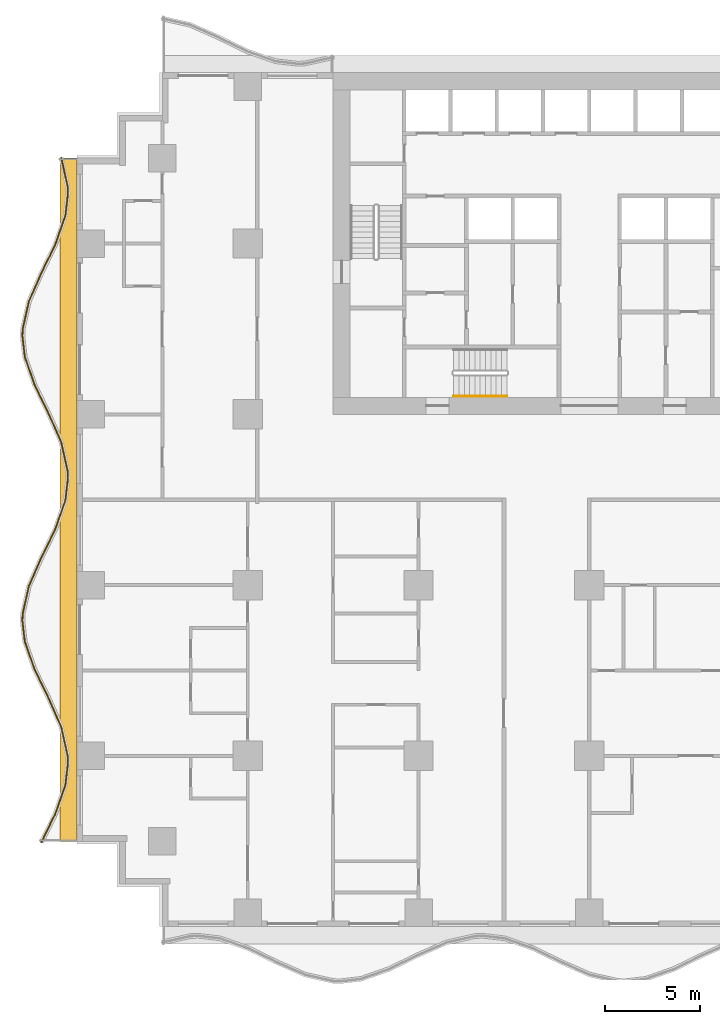
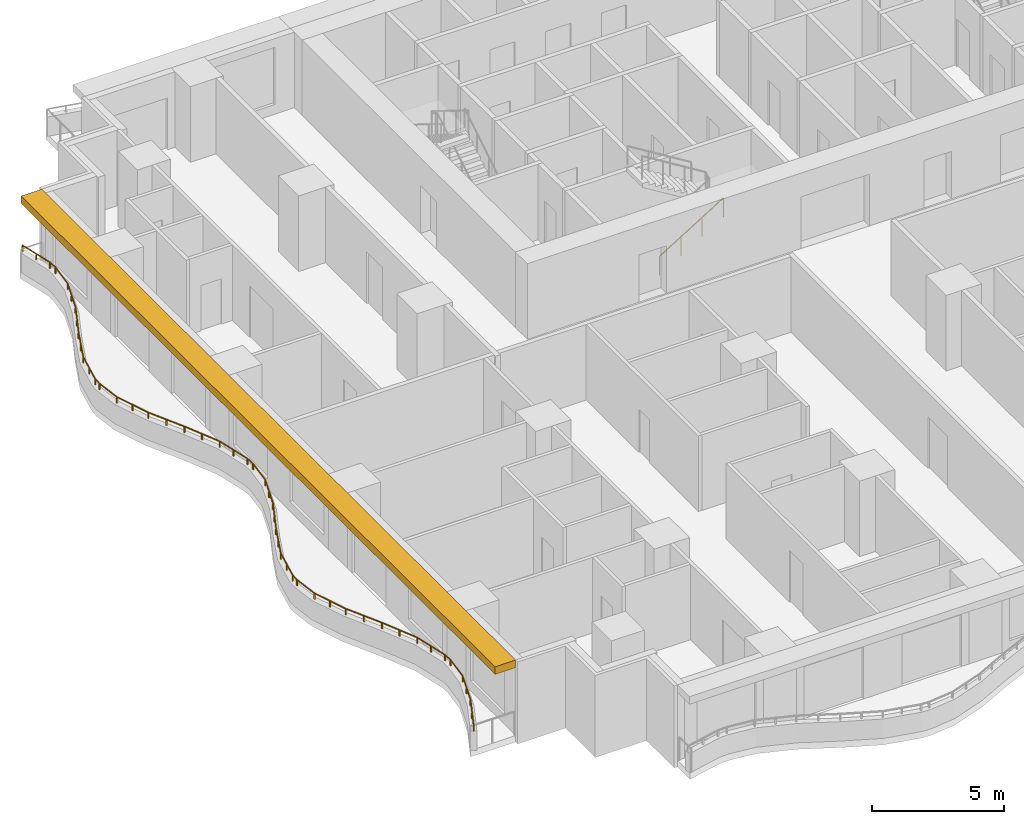
# One storey, part 9 of 14: 2 railings, 1 shading device.
"""IFC4 building model written with IfcOpenShell, lengths in metres."""

from ifc_helpers import new_model, si_unit, direction, frame, origin, origin_2d, place, context, subcontext, project, spatial, polyline, rectangle, circle, outline, extrude, material, layer, layer_set, type_object, element, save


model = new_model("IFC4")

# Units and contexts
model_context = context("Model", 3, precision=1e-05, world=origin(), true_north=direction((0.0, 1.0)))
body_context = subcontext(model_context, "Body", "Model", "MODEL_VIEW")
ifc_project = project(units=[si_unit("LENGTHUNIT", "METRE"), si_unit("AREAUNIT", "SQUARE_METRE"), si_unit("VOLUMEUNIT", "CUBIC_METRE"), si_unit("PLANEANGLEUNIT", "RADIAN"), si_unit("MASSUNIT", "GRAM", prefix="KILO")], contexts=[model_context])

# Site, building, storey
site_placement = place(None, origin())
site = spatial("IfcSite", under=ifc_project, at=site_placement, CompositionType="ELEMENT")
building_placement = place(site_placement, origin())
building = spatial("IfcBuilding", under=site, at=building_placement, Name="Orbiselva Terraces", CompositionType="ELEMENT")
storey_placement = place(building_placement, frame((0.0, 0.0, 34.0)))
storey = spatial("IfcBuildingStorey", under=building, at=storey_placement, Name="L08", CompositionType="ELEMENT", Elevation=34.0)

# Railings
ifc_material_1 = material(Name="Stainless steel", Category="steel")
railing_type_1 = type_object("IfcRailingType", Name="CORE-HANDRAIL-900", PredefinedType="HANDRAIL", material=ifc_material_1)
railing_1_placement = place(storey_placement, frame((-7.15, 5.45, 0.172727)))
element("IfcRailing", 1, at=railing_1_placement, inside=storey, type_object=railing_type_1, Name="L08 S3 stair handrail 1", PredefinedType="HANDRAIL", context=body_context, shape_type="SweptSolid", body=[
    extrude(circle(Radius=0.024, at=origin_2d()), frame((0.0, 0.0, 0.876), z_axis=(0.851088519012, 0.0, 0.52502222125), x_axis=(0.0, 1.0, 0.0)), (0.0, 0.0, 1.0), 3.289905),
    extrude(circle(Radius=0.021, at=origin_2d()), origin(), (0.0, 0.0, 1.0), 0.852),
    extrude(circle(Radius=0.021, at=origin_2d()), frame((0.933333, 0.0, 0.575758)), (0.0, 0.0, 1.0), 0.852),
    extrude(circle(Radius=0.021, at=origin_2d()), frame((1.866667, 0.0, 1.151515)), (0.0, 0.0, 1.0), 0.852),
    extrude(circle(Radius=0.021, at=origin_2d()), frame((2.8, 0.0, 1.727273)), (0.0, 0.0, 1.0), 0.852),
])
ifc_material_2 = material(Name="Bonded two-ply safety glass balustrade, stainless steel posts", Category="steel")
railing_type_2 = type_object("IfcRailingType", Name="ENV-BALUSTRADE-1200", PredefinedType="BALUSTRADE", material=ifc_material_2)
railing_2_placement = place(storey_placement, frame((-27.829507, 18.027377, 0.9)))
element("IfcRailing", 2, at=railing_2_placement, inside=storey, type_object=railing_type_2, Name="Balcony balustrade L08 W", PredefinedType="BALUSTRADE", context=body_context, shape_type="SweptSolid", body=[
    extrude(outline(polyline([(0.028868, 0.0), (0.014434, 0.025), (-0.014434, 0.025), (-0.028868, 0.0), (-0.014434, -0.025), (0.014434, -0.025), (0.028868, 0.0)])), frame((0.0, 0.0, 0.275), z_axis=(0.219015484484, -0.97572138316, 0.0), x_axis=(0.97572138316, 0.219015484484, 0.0)), (0.0, 0.0, 1.0), 1.548694),
    extrude(outline(polyline([(0.028868, 0.0), (0.014434, 0.025), (-0.014434, 0.025), (-0.028868, 0.0), (-0.014434, -0.025), (0.014434, -0.025), (0.028868, 0.0)])), frame((0.339188, -1.511094, 0.275), z_axis=(0.03936915532, -0.999224734286, 0.0), x_axis=(0.999224734286, 0.03936915532, 0.0)), (0.0, 0.0, 1.0), 0.396376),
    extrude(outline(polyline([(0.028868, 0.0), (0.014434, 0.025), (-0.014434, 0.025), (-0.028868, 0.0), (-0.014434, -0.025), (0.014434, -0.025), (0.028868, 0.0)])), frame((0.354793, -1.907163, 0.275), z_axis=(-0.115482182324, -0.993309551734, 0.0), x_axis=(0.993309551734, -0.115482182324, 0.0)), (0.0, 0.0, 1.0), 1.156135),
    extrude(outline(polyline([(0.028868, 0.0), (0.014434, 0.025), (-0.014434, 0.025), (-0.028868, 0.0), (-0.014434, -0.025), (0.014434, -0.025), (0.028868, 0.0)])), frame((0.22128, -3.055563, 0.275), z_axis=(-0.330024597479, -0.943972332783, 0.0), x_axis=(0.943972332783, -0.330024597479, 0.0)), (0.0, 0.0, 1.0), 1.610253),
    extrude(outline(polyline([(0.028868, 0.0), (0.014434, 0.025), (-0.014434, 0.025), (-0.028868, 0.0), (-0.014434, -0.025), (0.014434, -0.025), (0.028868, 0.0)])), frame((-0.310143, -4.575597, 0.275), z_axis=(-0.438812048596, -0.898578870221, 0.0), x_axis=(0.898578870221, -0.438812048596, 0.0)), (0.0, 0.0, 1.0), 1.674225),
    extrude(outline(polyline([(0.028868, 0.0), (0.014434, 0.025), (-0.014434, 0.025), (-0.028868, 0.0), (-0.014434, -0.025), (0.014434, -0.025), (0.028868, 0.0)])), frame((-1.044813, -6.08002, 0.275), z_axis=(-0.403151245402, -0.915133363686, 0.0), x_axis=(0.915133363686, -0.403151245402, 0.0)), (0.0, 0.0, 1.0), 1.624475),
    extrude(outline(polyline([(0.028868, 0.0), (0.014434, 0.025), (-0.014434, 0.025), (-0.028868, 0.0), (-0.014434, -0.025), (0.014434, -0.025), (0.028868, 0.0)])), frame((-1.699722, -7.566631, 0.275), z_axis=(-0.219015740235, -0.975721325753, 0.0), x_axis=(0.975721325753, -0.219015740235, 0.0)), (0.0, 0.0, 1.0), 1.513782),
    extrude(outline(polyline([(0.028868, 0.0), (0.014434, 0.025), (-0.014434, 0.025), (-0.028868, 0.0), (-0.014434, -0.025), (0.014434, -0.025), (0.028868, 0.0)])), frame((-2.031264, -9.04366, 0.275), z_axis=(-0.039364150694, -0.999224931454, 0.0), x_axis=(0.999224931454, -0.039364150694, 0.0)), (0.0, 0.0, 1.0), 0.354206),
    extrude(outline(polyline([(0.028868, 0.0), (0.014434, 0.025), (-0.014434, 0.025), (-0.028868, 0.0), (-0.014434, -0.025), (0.014434, -0.025), (0.028868, 0.0)])), frame((-2.045207, -9.397591, 0.275), z_axis=(0.115481264762, -0.993309658409, 0.0), x_axis=(0.993309658409, 0.115481264762, 0.0)), (0.0, 0.0, 1.0), 1.10902),
    extrude(outline(polyline([(0.028868, 0.0), (0.014434, 0.025), (-0.014434, 0.025), (-0.028868, 0.0), (-0.014434, -0.025), (0.014434, -0.025), (0.028868, 0.0)])), frame((-1.917136, -10.499191, 0.275), z_axis=(0.330024754707, -0.943972277814, 0.0), x_axis=(0.943972277814, 0.330024754707, 0.0)), (0.0, 0.0, 1.0), 1.567807),
    extrude(outline(polyline([(0.028868, 0.0), (0.014434, 0.025), (-0.014434, 0.025), (-0.028868, 0.0), (-0.014434, -0.025), (0.014434, -0.025), (0.028868, 0.0)])), frame((-1.399721, -11.979157, 0.275), z_axis=(0.438811978768, -0.89857890432, 0.0), x_axis=(0.89857890432, 0.438811978768, 0.0)), (0.0, 0.0, 1.0), 1.66438),
    extrude(outline(polyline([(0.028868, 0.0), (0.014434, 0.025), (-0.014434, 0.025), (-0.028868, 0.0), (-0.014434, -0.025), (0.014434, -0.025), (0.028868, 0.0)])), frame((-0.669371, -13.474734, 0.275), z_axis=(0.403150874148, -0.915133527237, 0.0), x_axis=(0.915133527237, 0.403150874148, 0.0)), (0.0, 0.0, 1.0), 1.653736),
    extrude(outline(polyline([(0.028868, 0.0), (0.014434, 0.025), (-0.014434, 0.025), (-0.028868, 0.0), (-0.014434, -0.025), (0.014434, -0.025), (0.028868, 0.0)])), frame((-0.002666, -14.988123, 0.275), z_axis=(0.219015500924, -0.97572137947, 0.0), x_axis=(0.97572137947, 0.219015500924, 0.0)), (0.0, 0.0, 1.0), 1.560867),
    extrude(outline(polyline([(0.028868, 0.0), (0.014434, 0.025), (-0.014434, 0.025), (-0.028868, 0.0), (-0.014434, -0.025), (0.014434, -0.025), (0.028868, 0.0)])), frame((0.339188, -16.511094, 0.275), z_axis=(0.03936915532, -0.999224734286, 0.0), x_axis=(0.999224734286, 0.03936915532, 0.0)), (0.0, 0.0, 1.0), 0.396376),
    extrude(outline(polyline([(0.028868, 0.0), (0.014434, 0.025), (-0.014434, 0.025), (-0.028868, 0.0), (-0.014434, -0.025), (0.014434, -0.025), (0.028868, 0.0)])), frame((0.354793, -16.907163, 0.275), z_axis=(-0.115482182324, -0.993309551734, 0.0), x_axis=(0.993309551734, -0.115482182324, 0.0)), (0.0, 0.0, 1.0), 1.156135),
    extrude(outline(polyline([(0.028868, 0.0), (0.014434, 0.025), (-0.014434, 0.025), (-0.028868, 0.0), (-0.014434, -0.025), (0.014434, -0.025), (0.028868, 0.0)])), frame((0.22128, -18.055563, 0.275), z_axis=(-0.330024597479, -0.943972332783, 0.0), x_axis=(0.943972332783, -0.330024597479, 0.0)), (0.0, 0.0, 1.0), 1.610253),
    extrude(outline(polyline([(0.028868, 0.0), (0.014434, 0.025), (-0.014434, 0.025), (-0.028868, 0.0), (-0.014434, -0.025), (0.014434, -0.025), (0.028868, 0.0)])), frame((-0.310143, -19.575597, 0.275), z_axis=(-0.438812048596, -0.898578870221, 0.0), x_axis=(0.898578870221, -0.438812048596, 0.0)), (0.0, 0.0, 1.0), 1.674225),
    extrude(outline(polyline([(0.028868, 0.0), (0.014434, 0.025), (-0.014434, 0.025), (-0.028868, 0.0), (-0.014434, -0.025), (0.014434, -0.025), (0.028868, 0.0)])), frame((-1.044813, -21.08002, 0.275), z_axis=(-0.403151245402, -0.915133363686, 0.0), x_axis=(0.915133363686, -0.403151245402, 0.0)), (0.0, 0.0, 1.0), 1.624475),
    extrude(outline(polyline([(0.028868, 0.0), (0.014434, 0.025), (-0.014434, 0.025), (-0.028868, 0.0), (-0.014434, -0.025), (0.014434, -0.025), (0.028868, 0.0)])), frame((-1.699722, -22.566631, 0.275), z_axis=(-0.219015740235, -0.975721325753, 0.0), x_axis=(0.975721325753, -0.219015740235, 0.0)), (0.0, 0.0, 1.0), 1.513782),
    extrude(outline(polyline([(0.028868, 0.0), (0.014434, 0.025), (-0.014434, 0.025), (-0.028868, 0.0), (-0.014434, -0.025), (0.014434, -0.025), (0.028868, 0.0)])), frame((-2.031264, -24.04366, 0.275), z_axis=(-0.039364150694, -0.999224931454, 0.0), x_axis=(0.999224931454, -0.039364150694, 0.0)), (0.0, 0.0, 1.0), 0.354206),
    extrude(outline(polyline([(0.028868, 0.0), (0.014434, 0.025), (-0.014434, 0.025), (-0.028868, 0.0), (-0.014434, -0.025), (0.014434, -0.025), (0.028868, 0.0)])), frame((-2.045207, -24.397591, 0.275), z_axis=(0.115481264762, -0.993309658409, 0.0), x_axis=(0.993309658409, 0.115481264762, 0.0)), (0.0, 0.0, 1.0), 1.10902),
    extrude(outline(polyline([(0.028868, 0.0), (0.014434, 0.025), (-0.014434, 0.025), (-0.028868, 0.0), (-0.014434, -0.025), (0.014434, -0.025), (0.028868, 0.0)])), frame((-1.917136, -25.499191, 0.275), z_axis=(0.330024754707, -0.943972277814, 0.0), x_axis=(0.943972277814, 0.330024754707, 0.0)), (0.0, 0.0, 1.0), 1.567807),
    extrude(outline(polyline([(0.028868, 0.0), (0.014434, 0.025), (-0.014434, 0.025), (-0.028868, 0.0), (-0.014434, -0.025), (0.014434, -0.025), (0.028868, 0.0)])), frame((-1.399721, -26.979157, 0.275), z_axis=(0.438811978768, -0.89857890432, 0.0), x_axis=(0.89857890432, 0.438811978768, 0.0)), (0.0, 0.0, 1.0), 1.66438),
    extrude(outline(polyline([(0.028868, 0.0), (0.014434, 0.025), (-0.014434, 0.025), (-0.028868, 0.0), (-0.014434, -0.025), (0.014434, -0.025), (0.028868, 0.0)])), frame((-0.669371, -28.474734, 0.275), z_axis=(0.403150874148, -0.915133527237, 0.0), x_axis=(0.915133527237, 0.403150874148, 0.0)), (0.0, 0.0, 1.0), 1.653736),
    extrude(outline(polyline([(0.028868, 0.0), (0.014434, 0.025), (-0.014434, 0.025), (-0.028868, 0.0), (-0.014434, -0.025), (0.014434, -0.025), (0.028868, 0.0)])), frame((-0.002666, -29.988123, 0.275), z_axis=(0.219015500924, -0.97572137947, 0.0), x_axis=(0.97572137947, 0.219015500924, 0.0)), (0.0, 0.0, 1.0), 1.560867),
    extrude(outline(polyline([(0.028868, 0.0), (0.014434, 0.025), (-0.014434, 0.025), (-0.028868, 0.0), (-0.014434, -0.025), (0.014434, -0.025), (0.028868, 0.0)])), frame((0.339188, -31.511094, 0.275), z_axis=(0.03936915532, -0.999224734286, 0.0), x_axis=(0.999224734286, 0.03936915532, 0.0)), (0.0, 0.0, 1.0), 0.396376),
    extrude(outline(polyline([(0.028868, 0.0), (0.014434, 0.025), (-0.014434, 0.025), (-0.028868, 0.0), (-0.014434, -0.025), (0.014434, -0.025), (0.028868, 0.0)])), frame((0.354793, -31.907163, 0.275), z_axis=(-0.115482182324, -0.993309551734, 0.0), x_axis=(0.993309551734, -0.115482182324, 0.0)), (0.0, 0.0, 1.0), 1.156135),
    extrude(outline(polyline([(0.028868, 0.0), (0.014434, 0.025), (-0.014434, 0.025), (-0.028868, 0.0), (-0.014434, -0.025), (0.014434, -0.025), (0.028868, 0.0)])), frame((0.22128, -33.055563, 0.275), z_axis=(-0.330024597479, -0.943972332783, 0.0), x_axis=(0.943972332783, -0.330024597479, 0.0)), (0.0, 0.0, 1.0), 1.610253),
    extrude(outline(polyline([(0.028868, 0.0), (0.014434, 0.025), (-0.014434, 0.025), (-0.028868, 0.0), (-0.014434, -0.025), (0.014434, -0.025), (0.028868, 0.0)])), frame((-0.310143, -34.575597, 0.275), z_axis=(-0.43881217228, -0.898578809821, 0.0), x_axis=(0.898578809821, -0.43881217228, 0.0)), (0.0, 0.0, 1.0), 1.676683),
    extrude(rectangle(XDim=0.05, YDim=0.05, at=origin_2d()), origin(), (0.0, 0.0, 1.0), 0.25),
    extrude(rectangle(XDim=0.05, YDim=0.05, at=origin_2d()), frame((0.169594, -0.755547, 0.0)), (0.0, 0.0, 1.0), 0.25),
    extrude(rectangle(XDim=0.05, YDim=0.05, at=origin_2d()), frame((0.339188, -1.511094, 0.0)), (0.0, 0.0, 1.0), 0.25),
    extrude(rectangle(XDim=0.05, YDim=0.05, at=origin_2d()), frame((0.354793, -1.907163, 0.0)), (0.0, 0.0, 1.0), 0.25),
    extrude(rectangle(XDim=0.05, YDim=0.05, at=origin_2d()), frame((0.22128, -3.055563, 0.0)), (0.0, 0.0, 1.0), 0.25),
    extrude(rectangle(XDim=0.05, YDim=0.05, at=origin_2d()), frame((-0.044431, -3.81558, 0.0)), (0.0, 0.0, 1.0), 0.25),
    extrude(rectangle(XDim=0.05, YDim=0.05, at=origin_2d()), frame((-0.310143, -4.575597, 0.0)), (0.0, 0.0, 1.0), 0.25),
    extrude(rectangle(XDim=0.05, YDim=0.05, at=origin_2d()), frame((-0.677478, -5.327809, 0.0)), (0.0, 0.0, 1.0), 0.25),
    extrude(rectangle(XDim=0.05, YDim=0.05, at=origin_2d()), frame((-1.044813, -6.08002, 0.0)), (0.0, 0.0, 1.0), 0.25),
    extrude(rectangle(XDim=0.05, YDim=0.05, at=origin_2d()), frame((-1.372268, -6.823326, 0.0)), (0.0, 0.0, 1.0), 0.25),
    extrude(rectangle(XDim=0.05, YDim=0.05, at=origin_2d()), frame((-1.699722, -7.566631, 0.0)), (0.0, 0.0, 1.0), 0.25),
    extrude(rectangle(XDim=0.05, YDim=0.05, at=origin_2d()), frame((-1.865493, -8.305146, 0.0)), (0.0, 0.0, 1.0), 0.25),
    extrude(rectangle(XDim=0.05, YDim=0.05, at=origin_2d()), frame((-2.031264, -9.04366, 0.0)), (0.0, 0.0, 1.0), 0.25),
    extrude(rectangle(XDim=0.05, YDim=0.05, at=origin_2d()), frame((-2.045207, -9.397591, 0.0)), (0.0, 0.0, 1.0), 0.25),
    extrude(rectangle(XDim=0.05, YDim=0.05, at=origin_2d()), frame((-1.917136, -10.499191, 0.0)), (0.0, 0.0, 1.0), 0.25),
    extrude(rectangle(XDim=0.05, YDim=0.05, at=origin_2d()), frame((-1.658428, -11.239174, 0.0)), (0.0, 0.0, 1.0), 0.25),
    extrude(rectangle(XDim=0.05, YDim=0.05, at=origin_2d()), frame((-1.399721, -11.979157, 0.0)), (0.0, 0.0, 1.0), 0.25),
    extrude(rectangle(XDim=0.05, YDim=0.05, at=origin_2d()), frame((-1.034546, -12.726946, 0.0)), (0.0, 0.0, 1.0), 0.25),
    extrude(rectangle(XDim=0.05, YDim=0.05, at=origin_2d()), frame((-0.669371, -13.474734, 0.0)), (0.0, 0.0, 1.0), 0.25),
    extrude(rectangle(XDim=0.05, YDim=0.05, at=origin_2d()), frame((-0.336019, -14.231429, 0.0)), (0.0, 0.0, 1.0), 0.25),
    extrude(rectangle(XDim=0.05, YDim=0.05, at=origin_2d()), frame((-0.002666, -14.988123, 0.0)), (0.0, 0.0, 1.0), 0.25),
    extrude(rectangle(XDim=0.05, YDim=0.05, at=origin_2d()), frame((0.168261, -15.749608, 0.0)), (0.0, 0.0, 1.0), 0.25),
    extrude(rectangle(XDim=0.05, YDim=0.05, at=origin_2d()), frame((0.339188, -16.511094, 0.0)), (0.0, 0.0, 1.0), 0.25),
    extrude(rectangle(XDim=0.05, YDim=0.05, at=origin_2d()), frame((0.354793, -16.907163, 0.0)), (0.0, 0.0, 1.0), 0.25),
    extrude(rectangle(XDim=0.05, YDim=0.05, at=origin_2d()), frame((0.22128, -18.055563, 0.0)), (0.0, 0.0, 1.0), 0.25),
    extrude(rectangle(XDim=0.05, YDim=0.05, at=origin_2d()), frame((-0.044431, -18.81558, 0.0)), (0.0, 0.0, 1.0), 0.25),
    extrude(rectangle(XDim=0.05, YDim=0.05, at=origin_2d()), frame((-0.310143, -19.575597, 0.0)), (0.0, 0.0, 1.0), 0.25),
    extrude(rectangle(XDim=0.05, YDim=0.05, at=origin_2d()), frame((-0.677478, -20.327809, 0.0)), (0.0, 0.0, 1.0), 0.25),
    extrude(rectangle(XDim=0.05, YDim=0.05, at=origin_2d()), frame((-1.044813, -21.08002, 0.0)), (0.0, 0.0, 1.0), 0.25),
    extrude(rectangle(XDim=0.05, YDim=0.05, at=origin_2d()), frame((-1.372268, -21.823326, 0.0)), (0.0, 0.0, 1.0), 0.25),
    extrude(rectangle(XDim=0.05, YDim=0.05, at=origin_2d()), frame((-1.699722, -22.566631, 0.0)), (0.0, 0.0, 1.0), 0.25),
    extrude(rectangle(XDim=0.05, YDim=0.05, at=origin_2d()), frame((-1.865493, -23.305146, 0.0)), (0.0, 0.0, 1.0), 0.25),
    extrude(rectangle(XDim=0.05, YDim=0.05, at=origin_2d()), frame((-2.031264, -24.04366, 0.0)), (0.0, 0.0, 1.0), 0.25),
    extrude(rectangle(XDim=0.05, YDim=0.05, at=origin_2d()), frame((-2.045207, -24.397591, 0.0)), (0.0, 0.0, 1.0), 0.25),
    extrude(rectangle(XDim=0.05, YDim=0.05, at=origin_2d()), frame((-1.917136, -25.499191, 0.0)), (0.0, 0.0, 1.0), 0.25),
    extrude(rectangle(XDim=0.05, YDim=0.05, at=origin_2d()), frame((-1.658428, -26.239174, 0.0)), (0.0, 0.0, 1.0), 0.25),
    extrude(rectangle(XDim=0.05, YDim=0.05, at=origin_2d()), frame((-1.399721, -26.979157, 0.0)), (0.0, 0.0, 1.0), 0.25),
    extrude(rectangle(XDim=0.05, YDim=0.05, at=origin_2d()), frame((-1.034546, -27.726946, 0.0)), (0.0, 0.0, 1.0), 0.25),
    extrude(rectangle(XDim=0.05, YDim=0.05, at=origin_2d()), frame((-0.669371, -28.474734, 0.0)), (0.0, 0.0, 1.0), 0.25),
    extrude(rectangle(XDim=0.05, YDim=0.05, at=origin_2d()), frame((-0.336019, -29.231428, 0.0)), (0.0, 0.0, 1.0), 0.25),
    extrude(rectangle(XDim=0.05, YDim=0.05, at=origin_2d()), frame((-0.002666, -29.988123, 0.0)), (0.0, 0.0, 1.0), 0.25),
    extrude(rectangle(XDim=0.05, YDim=0.05, at=origin_2d()), frame((0.168261, -30.749608, 0.0)), (0.0, 0.0, 1.0), 0.25),
    extrude(rectangle(XDim=0.05, YDim=0.05, at=origin_2d()), frame((0.339188, -31.511094, 0.0)), (0.0, 0.0, 1.0), 0.25),
    extrude(rectangle(XDim=0.05, YDim=0.05, at=origin_2d()), frame((0.354793, -31.907163, 0.0)), (0.0, 0.0, 1.0), 0.25),
    extrude(rectangle(XDim=0.05, YDim=0.05, at=origin_2d()), frame((0.22128, -33.055563, 0.0)), (0.0, 0.0, 1.0), 0.25),
    extrude(rectangle(XDim=0.05, YDim=0.05, at=origin_2d()), frame((-0.044431, -33.81558, 0.0)), (0.0, 0.0, 1.0), 0.25),
    extrude(rectangle(XDim=0.05, YDim=0.05, at=origin_2d()), frame((-0.310143, -34.575597, 0.0)), (0.0, 0.0, 1.0), 0.25),
    extrude(rectangle(XDim=0.05, YDim=0.05, at=origin_2d()), frame((-0.678018, -35.328913, 0.0)), (0.0, 0.0, 1.0), 0.25),
    extrude(rectangle(XDim=0.05, YDim=0.05, at=origin_2d()), frame((-1.045892, -36.082229, 0.0)), (0.0, 0.0, 1.0), 0.25),
])

# Shading device
ifc_material_3 = material(Name="Terracotta baguette sunshade", Category="masonry")
ifc_layer = layer(ifc_material_3, 0.35)
ifc_layer_set = layer_set([ifc_layer], Name="Terracotta baguette sunshade")
shading_device_type = type_object("IfcShadingDeviceType", Name="ENV-SUNSHADE-900x350", PredefinedType="USERDEFINED", material=ifc_layer_set)
shading_device_placement = place(storey_placement, frame((0.0, 0.0, 3.15)))
element("IfcShadingDevice", 3, at=shading_device_placement, inside=storey, type_object=shading_device_type, Name="Sunshade band L08 W", ObjectType="SUNSHADE", PredefinedType="USERDEFINED", context=body_context, shape_type="SweptSolid", body=[
    extrude(outline(polyline([(-27.9, 18.0), (-27.9, -18.0), (-27.0, -18.0), (-27.0, 18.0), (-27.9, 18.0)])), origin(), (0.0, 0.0, 1.0), 0.35),
])

save(model, "model.ifc")
